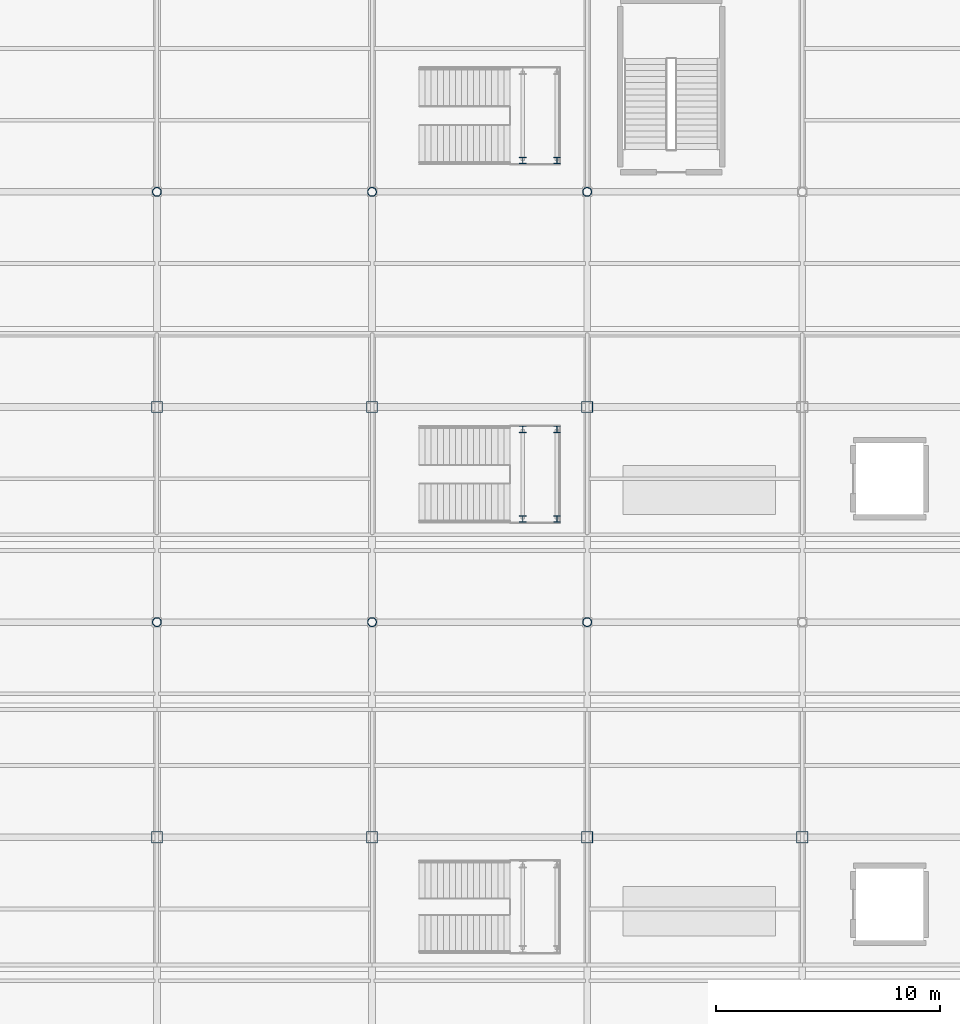
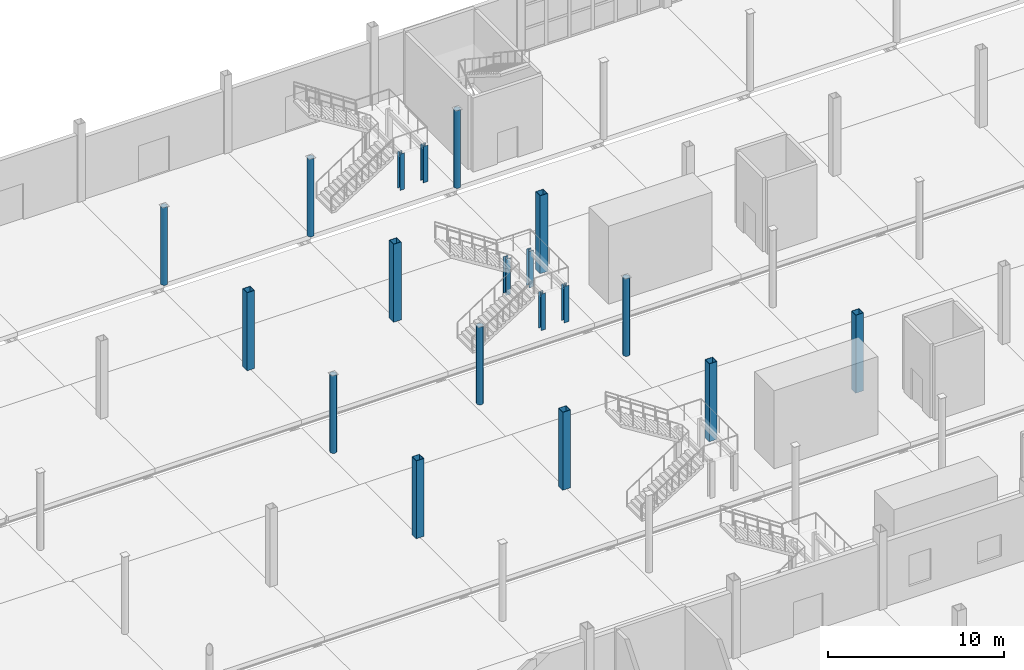
# One storey, part 14 of 85: 19 columns.
"""IFC4 building model written with IfcOpenShell, lengths in metres."""

from ifc_helpers import new_model, si_unit, direction, frame, origin, origin_2d, place, context, subcontext, project, spatial, hollow_rectangle, hollow_circle, i_section, extrude, material, material_profile, profile_set, type_object, element, save


model = new_model("IFC4")

# Units and contexts
model_context = context("Model", 3, precision=1e-05, world=origin(), true_north=direction((0.0, 1.0)))
body_context = subcontext(model_context, "Body", "Model", "MODEL_VIEW")
ifc_project = project(units=[si_unit("LENGTHUNIT", "METRE"), si_unit("AREAUNIT", "SQUARE_METRE"), si_unit("VOLUMEUNIT", "CUBIC_METRE"), si_unit("PLANEANGLEUNIT", "RADIAN"), si_unit("MASSUNIT", "GRAM", prefix="KILO")], contexts=[model_context])

# Site, building, storey
site_placement = place(None, origin())
site = spatial("IfcSite", under=ifc_project, at=site_placement, CompositionType="ELEMENT")
building_placement = place(site_placement, origin())
building = spatial("IfcBuilding", under=site, at=building_placement, Name="Zarnetskaya Central Station", CompositionType="ELEMENT")
storey_placement = place(building_placement, origin())
storey = spatial("IfcBuildingStorey", under=building, at=storey_placement, Name="L00", CompositionType="ELEMENT", Elevation=0.0)

# Columns
ifc_material = material(Name="Steel S355", Category="steel")
ifc_material_profile_1 = material_profile(ifc_material, hollow_circle(Radius=0.203125, WallThickness=0.02001953125, at=origin_2d()), Name="CHS 406.4x20")
ifc_profile_set_1 = profile_set([ifc_material_profile_1], Name="Steel S355")
column_type_1 = type_object("IfcColumnType", Name="COL-V1-PCAN", PredefinedType="COLUMN", material=ifc_profile_set_1)
for number, where, z_axis, x_axis, name in (
    (1, (67.199951171875, 96.0, 0.0), (0.0, 0.0, 1.0), (1.0, 0.0, 0.0), "Column H12 L00"),
    (2, (67.199951171875, 115.199951171875, 0.0), (0.0, 0.0, 1.0), (1.0, 0.0, 0.0), "Column H14 L00"),
    (3, (76.800048828125, 96.0, 0.0), (0.0, 0.0, 1.0), (1.0, 0.0, 0.0), "Column J12 L00"),
    (4, (76.800048828125, 115.199951171875, 0.0), (0.0, 0.0, 1.0), (1.0, 0.0, 0.0), "Column J14 L00"),
    (5, (86.39990234375, 96.0, 0.0), (0.0, 0.0, 1.0), (1.0, 0.0, 0.0), "Column K12 L00"),
    (6, (86.39990234375, 115.199951171875, 0.0), (0.0, 0.0, 1.0), (1.0, 0.0, 0.0), "Column K14 L00"),
):
    element("IfcColumn", number, at=place(storey_placement, frame(where, z_axis=z_axis, x_axis=x_axis)), inside=storey, type_object=column_type_1, Name=name, PredefinedType="COLUMN", context=body_context, shape_type="SweptSolid", body=[
        extrude(hollow_circle(Radius=0.203125, WallThickness=0.02001953125, at=origin_2d()), origin(), (0.0, 0.0, 1.0), 5.387939453125),
    ])
ifc_material_profile_2 = material_profile(ifc_material, hollow_rectangle(XDim=0.5, YDim=0.5, WallThickness=0.02490234375, at=origin_2d()), Name="BOX 500x500x25")
ifc_profile_set_2 = profile_set([ifc_material_profile_2], Name="Steel S355")
column_type_2 = type_object("IfcColumnType", Name="COL-V1-SHED", PredefinedType="COLUMN", material=ifc_profile_set_2)
for number, where, z_axis, x_axis, name in (
    (7, (67.199951171875, 86.39990234375, 0.0), (0.0, 0.0, 1.0), (1.0, 0.0, 0.0), "Column H11 L00"),
    (8, (67.199951171875, 105.60009765625, 0.0), (0.0, 0.0, 1.0), (1.0, 0.0, 0.0), "Column H13 L00"),
    (9, (76.800048828125, 86.39990234375, 0.0), (0.0, 0.0, 1.0), (1.0, 0.0, 0.0), "Column J11 L00"),
    (10, (76.800048828125, 105.60009765625, 0.0), (0.0, 0.0, 1.0), (1.0, 0.0, 0.0), "Column J13 L00"),
    (11, (86.39990234375, 86.39990234375, 0.0), (0.0, 0.0, 1.0), (1.0, 0.0, 0.0), "Column K11 L00"),
    (12, (86.39990234375, 105.60009765625, 0.0), (0.0, 0.0, 1.0), (1.0, 0.0, 0.0), "Column K13 L00"),
    (13, (96.0, 86.39990234375, 0.0), (0.0, 0.0, 1.0), (1.0, 0.0, 0.0), "Column L11 L00"),
):
    element("IfcColumn", number, at=place(storey_placement, frame(where, z_axis=z_axis, x_axis=x_axis)), inside=storey, type_object=column_type_2, Name=name, PredefinedType="COLUMN", context=body_context, shape_type="SweptSolid", body=[
        extrude(hollow_rectangle(XDim=0.5, YDim=0.5, WallThickness=0.02490234375, at=origin_2d()), origin(), (0.0, 0.0, 1.0), 5.39990234375),
    ])
ifc_material_profile_3 = material_profile(ifc_material, i_section(OverallWidth=0.300048828125, OverallDepth=0.300048828125, WebThickness=0.010986328125, FlangeThickness=0.01904296875, FilletRadius=0.027099609375, at=origin_2d()), Name="HEB 300")
ifc_profile_set_3 = profile_set([ifc_material_profile_3], Name="Steel S355")
column_type_3 = type_object("IfcColumnType", Name="COL-V4-INT", PredefinedType="COLUMN", material=ifc_profile_set_3)
for number, where, z_axis, x_axis, name in (
    (14, (83.530029296875, 100.60009765625, 0.0), (0.0, 0.0, 1.0), (1.0, 0.0, 0.0), "Stair ST-P3 half-landing post 11"),
    (15, (83.530029296875, 104.60009765625, 0.0), (0.0, 0.0, 1.0), (1.0, 0.0, 0.0), "Stair ST-P3 half-landing post 12"),
    (16, (85.050048828125, 100.60009765625, 0.0), (0.0, 0.0, 1.0), (1.0, 0.0, 0.0), "Stair ST-P3 half-landing post 21"),
    (17, (85.050048828125, 104.60009765625, 0.0), (0.0, 0.0, 1.0), (1.0, 0.0, 0.0), "Stair ST-P3 half-landing post 22"),
    (18, (83.530029296875, 116.60009765625, 0.0), (0.0, 0.0, 1.0), (1.0, 0.0, 0.0), "Stair ST-P4 half-landing post 11"),
    (19, (85.050048828125, 116.60009765625, 0.0), (0.0, 0.0, 1.0), (1.0, 0.0, 0.0), "Stair ST-P4 half-landing post 21"),
):
    element("IfcColumn", number, at=place(storey_placement, frame(where, z_axis=z_axis, x_axis=x_axis)), inside=storey, type_object=column_type_3, Name=name, PredefinedType="COLUMN", context=body_context, shape_type="SweptSolid", body=[
        extrude(i_section(OverallWidth=0.300048828125, OverallDepth=0.300048828125, WebThickness=0.010986328125, FlangeThickness=0.01904296875, FilletRadius=0.027099609375, at=origin_2d()), origin(), (0.0, 0.0, 1.0), 2.514892578125),
    ])

save(model, "model.ifc")
